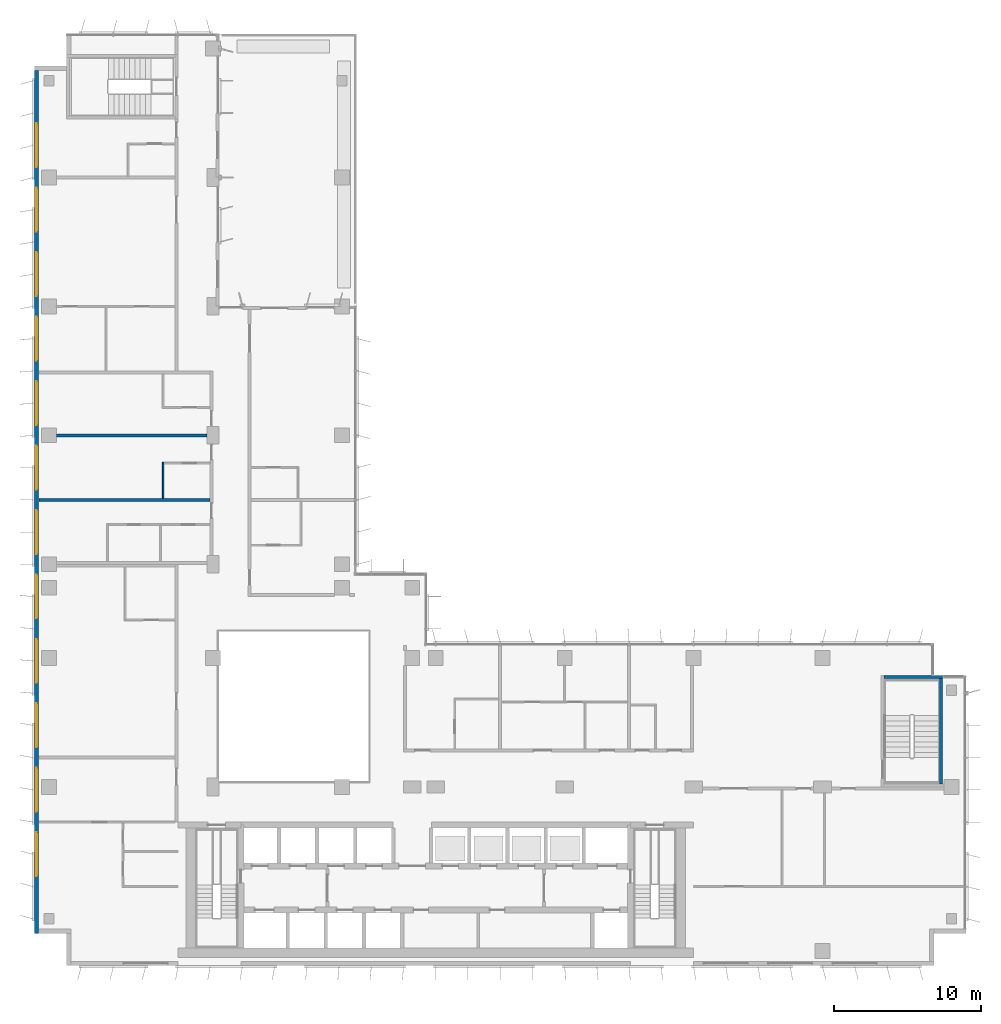
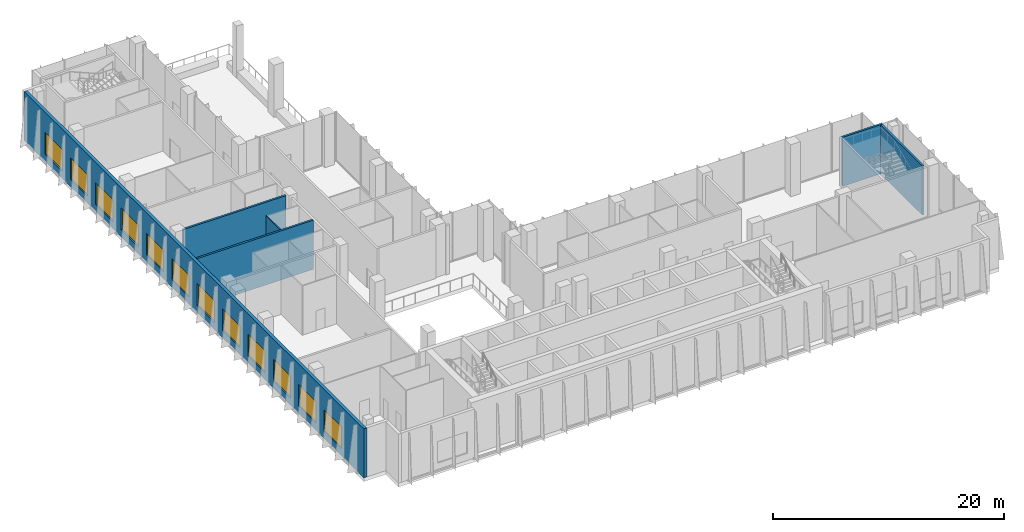
# One storey, part 16 of 24: 12 windows, 6 walls, 12 openings.
"""IFC4 building model written with IfcOpenShell, lengths in metres."""

from ifc_helpers import new_model, si_unit, direction, frame, frame_2d, origin, place, context, subcontext, project, spatial, rectangle, extrude, material, layer, layer_set, type_object, element, fill, save


model = new_model("IFC4")

# Units and contexts
model_context = context("Model", 3, precision=1e-05, world=origin(), true_north=direction((0.0, 1.0)))
body_context = subcontext(model_context, "Body", "Model", "MODEL_VIEW")
ifc_project = project(units=[si_unit("LENGTHUNIT", "METRE"), si_unit("AREAUNIT", "SQUARE_METRE"), si_unit("VOLUMEUNIT", "CUBIC_METRE"), si_unit("PLANEANGLEUNIT", "RADIAN"), si_unit("MASSUNIT", "GRAM", prefix="KILO")], contexts=[model_context])

# Site, building, storey
site_placement = place(None, origin())
site = spatial("IfcSite", under=ifc_project, at=site_placement, CompositionType="ELEMENT")
building_placement = place(site_placement, origin())
building = spatial("IfcBuilding", under=site, at=building_placement, Name="Kemantara Hotel Tower", CompositionType="ELEMENT")
storey_placement = place(building_placement, frame((0.0, 0.0, 202.5)))
storey = spatial("IfcBuildingStorey", under=building, at=storey_placement, Name="L50", CompositionType="ELEMENT", Elevation=202.5)

# Wall, openings, windows
ifc_material_1 = material(Name="Bronze anodised aluminium cladding on insulated steel stud wall", Category="steel")
ifc_layer_1 = layer(ifc_material_1, 0.300048828125)
ifc_layer_set_1 = layer_set([ifc_layer_1], Name="Bronze anodised aluminium cladding on insulated steel stud wall")
wall_type_1 = type_object("IfcWallType", Name="BRONZE METAL-CLAD EXTERNAL WALL 300", PredefinedType="STANDARD", material=ifc_layer_set_1)
wall_1_placement = place(storey_placement, frame((0.14990234375, 61.10009765625, 0.0), z_axis=(0.0, 0.0, 1.0), x_axis=(0.0, -1.0, 0.0)))
wall_1 = element("IfcWall", 1, at=wall_1_placement, inside=storey, type_object=wall_type_1, Name="EXTERNAL WALL L50 T3S-R06", PredefinedType="STANDARD", context=body_context, shape_type="SweptSolid", body=[
    extrude(rectangle(XDim=58.900146484375, YDim=0.300048828125, at=frame_2d((29.4501953125, 0.0))), origin(), (0.0, 0.0, 1.0), 5.199951171875),
])
opening_1_placement = place(wall_1_placement, frame((3.60009765625, 0.0, 0.75)))
opening_1 = element("IfcOpeningElement", 2, at=opening_1_placement, cuts=wall_1, Name="Opening W1", PredefinedType="OPENING", context=body_context, shape_type="SweptSolid", body=[
    extrude(rectangle(XDim=3.0, YDim=2.300048828125, at=frame_2d((1.5, 1.14990234375))), frame((0.0, 0.159912109375, 0.0), z_axis=(0.0, -1.0, 0.0), x_axis=(1.0, 0.0, 0.0)), (0.0, 0.0, 1.0), 0.320068359375),
])
opening_2_placement = place(wall_1_placement, frame((8.0, 0.0, 0.75)))
opening_2 = element("IfcOpeningElement", 3, at=opening_2_placement, cuts=wall_1, Name="Opening W1", PredefinedType="OPENING", context=body_context, shape_type="SweptSolid", body=[
    extrude(rectangle(XDim=3.0, YDim=2.300048828125, at=frame_2d((1.5, 1.14990234375))), frame((0.0, 0.159912109375, 0.0), z_axis=(0.0, -1.0, 0.0), x_axis=(1.0, 0.0, 0.0)), (0.0, 0.0, 1.0), 0.320068359375),
])
opening_3_placement = place(wall_1_placement, frame((12.39990234375, 0.0, 0.75)))
opening_3 = element("IfcOpeningElement", 4, at=opening_3_placement, cuts=wall_1, Name="Opening W1", PredefinedType="OPENING", context=body_context, shape_type="SweptSolid", body=[
    extrude(rectangle(XDim=3.0, YDim=2.300048828125, at=frame_2d((1.5, 1.14990234375))), frame((0.0, 0.159912109375, 0.0), z_axis=(0.0, -1.0, 0.0), x_axis=(1.0, 0.0, 0.0)), (0.0, 0.0, 1.0), 0.320068359375),
])
opening_4_placement = place(wall_1_placement, frame((16.800048828125, 0.0, 0.75)))
opening_4 = element("IfcOpeningElement", 5, at=opening_4_placement, cuts=wall_1, Name="Opening W1", PredefinedType="OPENING", context=body_context, shape_type="SweptSolid", body=[
    extrude(rectangle(XDim=3.0, YDim=2.300048828125, at=frame_2d((1.5, 1.14990234375))), frame((0.0, 0.159912109375, 0.0), z_axis=(0.0, -1.0, 0.0), x_axis=(1.0, 0.0, 0.0)), (0.0, 0.0, 1.0), 0.320068359375),
])
opening_5_placement = place(wall_1_placement, frame((21.199951171875, 0.0, 0.75)))
opening_5 = element("IfcOpeningElement", 6, at=opening_5_placement, cuts=wall_1, Name="Opening W1", PredefinedType="OPENING", context=body_context, shape_type="SweptSolid", body=[
    extrude(rectangle(XDim=3.0, YDim=2.300048828125, at=frame_2d((1.5, 1.14990234375))), frame((0.0, 0.159912109375, 0.0), z_axis=(0.0, -1.0, 0.0), x_axis=(1.0, 0.0, 0.0)), (0.0, 0.0, 1.0), 0.320068359375),
])
opening_6_placement = place(wall_1_placement, frame((25.60009765625, 0.0, 0.75)))
opening_6 = element("IfcOpeningElement", 7, at=opening_6_placement, cuts=wall_1, Name="Opening W1", PredefinedType="OPENING", context=body_context, shape_type="SweptSolid", body=[
    extrude(rectangle(XDim=3.0, YDim=2.300048828125, at=frame_2d((1.5, 1.14990234375))), frame((0.0, 0.159912109375, 0.0), z_axis=(0.0, -1.0, 0.0), x_axis=(1.0, 0.0, 0.0)), (0.0, 0.0, 1.0), 0.320068359375),
])
opening_7_placement = place(wall_1_placement, frame((30.0, 0.0, 0.75)))
opening_7 = element("IfcOpeningElement", 8, at=opening_7_placement, cuts=wall_1, Name="Opening W1", PredefinedType="OPENING", context=body_context, shape_type="SweptSolid", body=[
    extrude(rectangle(XDim=3.0, YDim=2.300048828125, at=frame_2d((1.5, 1.14990234375))), frame((0.0, 0.159912109375, 0.0), z_axis=(0.0, -1.0, 0.0), x_axis=(1.0, 0.0, 0.0)), (0.0, 0.0, 1.0), 0.320068359375),
])
opening_8_placement = place(wall_1_placement, frame((34.39990234375, 0.0, 0.75)))
opening_8 = element("IfcOpeningElement", 9, at=opening_8_placement, cuts=wall_1, Name="Opening W1", PredefinedType="OPENING", context=body_context, shape_type="SweptSolid", body=[
    extrude(rectangle(XDim=3.0, YDim=2.300048828125, at=frame_2d((1.5, 1.14990234375))), frame((0.0, 0.159912109375, 0.0), z_axis=(0.0, -1.0, 0.0), x_axis=(1.0, 0.0, 0.0)), (0.0, 0.0, 1.0), 0.320068359375),
])
opening_9_placement = place(wall_1_placement, frame((38.800048828125, 0.0, 0.75)))
opening_9 = element("IfcOpeningElement", 10, at=opening_9_placement, cuts=wall_1, Name="Opening W1", PredefinedType="OPENING", context=body_context, shape_type="SweptSolid", body=[
    extrude(rectangle(XDim=3.0, YDim=2.300048828125, at=frame_2d((1.5, 1.14990234375))), frame((0.0, 0.159912109375, 0.0), z_axis=(0.0, -1.0, 0.0), x_axis=(1.0, 0.0, 0.0)), (0.0, 0.0, 1.0), 0.320068359375),
])
opening_10_placement = place(wall_1_placement, frame((43.199951171875, 0.0, 0.75)))
opening_10 = element("IfcOpeningElement", 11, at=opening_10_placement, cuts=wall_1, Name="Opening W1", PredefinedType="OPENING", context=body_context, shape_type="SweptSolid", body=[
    extrude(rectangle(XDim=3.0, YDim=2.300048828125, at=frame_2d((1.5, 1.14990234375))), frame((0.0, 0.159912109375, 0.0), z_axis=(0.0, -1.0, 0.0), x_axis=(1.0, 0.0, 0.0)), (0.0, 0.0, 1.0), 0.320068359375),
])
opening_11_placement = place(wall_1_placement, frame((47.60009765625, 0.0, 0.75)))
opening_11 = element("IfcOpeningElement", 12, at=opening_11_placement, cuts=wall_1, Name="Opening W1", PredefinedType="OPENING", context=body_context, shape_type="SweptSolid", body=[
    extrude(rectangle(XDim=3.0, YDim=2.300048828125, at=frame_2d((1.5, 1.14990234375))), frame((0.0, 0.159912109375, 0.0), z_axis=(0.0, -1.0, 0.0), x_axis=(1.0, 0.0, 0.0)), (0.0, 0.0, 1.0), 0.320068359375),
])
opening_12_placement = place(wall_1_placement, frame((52.0, 0.0, 0.75)))
opening_12 = element("IfcOpeningElement", 13, at=opening_12_placement, cuts=wall_1, Name="Opening W1", PredefinedType="OPENING", context=body_context, shape_type="SweptSolid", body=[
    extrude(rectangle(XDim=3.0, YDim=2.300048828125, at=frame_2d((1.5, 1.14990234375))), frame((0.0, 0.159912109375, 0.0), z_axis=(0.0, -1.0, 0.0), x_axis=(1.0, 0.0, 0.0)), (0.0, 0.0, 1.0), 0.320068359375),
])
ifc_material_2 = material(Name="Low-E tinted double insulated glass in bronze anodised aluminium frame", Category="aluminium")
window_type = type_object("IfcWindowType", Name="CHICAGO WINDOW, TRIPLE PANEL 3000x2300", PartitioningType="TRIPLE_PANEL_VERTICAL", PredefinedType="WINDOW", material=ifc_material_2)
window_1_placement = place(opening_1_placement, origin())
window_1 = element("IfcWindow", 14, at=window_1_placement, inside=storey, type_object=window_type, Name="CHICAGO WINDOW L50 T3S-R06-54", OverallHeight=2.300048828125, OverallWidth=3.0, PartitioningType="SINGLE_PANEL", PredefinedType="WINDOW", context=body_context, shape_type="SweptSolid", body=[
    extrude(rectangle(XDim=3.0, YDim=2.300048828125, at=frame_2d((1.5, 1.14990234375))), frame((0.0, 0.030029296875, 0.0), z_axis=(0.0, -1.0, 0.0), x_axis=(1.0, 0.0, 0.0)), (0.0, 0.0, 1.0), 0.06005859375),
])
fill(opening_1, window_1)
window_2_placement = place(opening_2_placement, origin())
window_2 = element("IfcWindow", 15, at=window_2_placement, inside=storey, type_object=window_type, Name="CHICAGO WINDOW L50 T3S-R06-98", OverallHeight=2.300048828125, OverallWidth=3.0, PartitioningType="SINGLE_PANEL", PredefinedType="WINDOW", context=body_context, shape_type="SweptSolid", body=[
    extrude(rectangle(XDim=3.0, YDim=2.300048828125, at=frame_2d((1.5, 1.14990234375))), frame((0.0, 0.030029296875, 0.0), z_axis=(0.0, -1.0, 0.0), x_axis=(1.0, 0.0, 0.0)), (0.0, 0.0, 1.0), 0.06005859375),
])
fill(opening_2, window_2)
window_3_placement = place(opening_3_placement, origin())
window_3 = element("IfcWindow", 16, at=window_3_placement, inside=storey, type_object=window_type, Name="CHICAGO WINDOW L50 T3S-R06-142", OverallHeight=2.300048828125, OverallWidth=3.0, PartitioningType="SINGLE_PANEL", PredefinedType="WINDOW", context=body_context, shape_type="SweptSolid", body=[
    extrude(rectangle(XDim=3.0, YDim=2.300048828125, at=frame_2d((1.5, 1.14990234375))), frame((0.0, 0.030029296875, 0.0), z_axis=(0.0, -1.0, 0.0), x_axis=(1.0, 0.0, 0.0)), (0.0, 0.0, 1.0), 0.06005859375),
])
fill(opening_3, window_3)
window_4_placement = place(opening_4_placement, origin())
window_4 = element("IfcWindow", 17, at=window_4_placement, inside=storey, type_object=window_type, Name="CHICAGO WINDOW L50 T3S-R06-186", OverallHeight=2.300048828125, OverallWidth=3.0, PartitioningType="SINGLE_PANEL", PredefinedType="WINDOW", context=body_context, shape_type="SweptSolid", body=[
    extrude(rectangle(XDim=3.0, YDim=2.300048828125, at=frame_2d((1.5, 1.14990234375))), frame((0.0, 0.030029296875, 0.0), z_axis=(0.0, -1.0, 0.0), x_axis=(1.0, 0.0, 0.0)), (0.0, 0.0, 1.0), 0.06005859375),
])
fill(opening_4, window_4)
window_5_placement = place(opening_5_placement, origin())
window_5 = element("IfcWindow", 18, at=window_5_placement, inside=storey, type_object=window_type, Name="CHICAGO WINDOW L50 T3S-R06-230", OverallHeight=2.300048828125, OverallWidth=3.0, PartitioningType="SINGLE_PANEL", PredefinedType="WINDOW", context=body_context, shape_type="SweptSolid", body=[
    extrude(rectangle(XDim=3.0, YDim=2.300048828125, at=frame_2d((1.5, 1.14990234375))), frame((0.0, 0.030029296875, 0.0), z_axis=(0.0, -1.0, 0.0), x_axis=(1.0, 0.0, 0.0)), (0.0, 0.0, 1.0), 0.06005859375),
])
fill(opening_5, window_5)
window_6_placement = place(opening_6_placement, origin())
window_6 = element("IfcWindow", 19, at=window_6_placement, inside=storey, type_object=window_type, Name="CHICAGO WINDOW L50 T3S-R06-274", OverallHeight=2.300048828125, OverallWidth=3.0, PartitioningType="SINGLE_PANEL", PredefinedType="WINDOW", context=body_context, shape_type="SweptSolid", body=[
    extrude(rectangle(XDim=3.0, YDim=2.300048828125, at=frame_2d((1.5, 1.14990234375))), frame((0.0, 0.030029296875, 0.0), z_axis=(0.0, -1.0, 0.0), x_axis=(1.0, 0.0, 0.0)), (0.0, 0.0, 1.0), 0.06005859375),
])
fill(opening_6, window_6)
window_7_placement = place(opening_7_placement, origin())
window_7 = element("IfcWindow", 20, at=window_7_placement, inside=storey, type_object=window_type, Name="CHICAGO WINDOW L50 T3S-R06-318", OverallHeight=2.300048828125, OverallWidth=3.0, PartitioningType="SINGLE_PANEL", PredefinedType="WINDOW", context=body_context, shape_type="SweptSolid", body=[
    extrude(rectangle(XDim=3.0, YDim=2.300048828125, at=frame_2d((1.5, 1.14990234375))), frame((0.0, 0.030029296875, 0.0), z_axis=(0.0, -1.0, 0.0), x_axis=(1.0, 0.0, 0.0)), (0.0, 0.0, 1.0), 0.06005859375),
])
fill(opening_7, window_7)
window_8_placement = place(opening_8_placement, origin())
window_8 = element("IfcWindow", 21, at=window_8_placement, inside=storey, type_object=window_type, Name="CHICAGO WINDOW L50 T3S-R06-362", OverallHeight=2.300048828125, OverallWidth=3.0, PartitioningType="SINGLE_PANEL", PredefinedType="WINDOW", context=body_context, shape_type="SweptSolid", body=[
    extrude(rectangle(XDim=3.0, YDim=2.300048828125, at=frame_2d((1.5, 1.14990234375))), frame((0.0, 0.030029296875, 0.0), z_axis=(0.0, -1.0, 0.0), x_axis=(1.0, 0.0, 0.0)), (0.0, 0.0, 1.0), 0.06005859375),
])
fill(opening_8, window_8)
window_9_placement = place(opening_9_placement, origin())
window_9 = element("IfcWindow", 22, at=window_9_placement, inside=storey, type_object=window_type, Name="CHICAGO WINDOW L50 T3S-R06-406", OverallHeight=2.300048828125, OverallWidth=3.0, PartitioningType="SINGLE_PANEL", PredefinedType="WINDOW", context=body_context, shape_type="SweptSolid", body=[
    extrude(rectangle(XDim=3.0, YDim=2.300048828125, at=frame_2d((1.5, 1.14990234375))), frame((0.0, 0.030029296875, 0.0), z_axis=(0.0, -1.0, 0.0), x_axis=(1.0, 0.0, 0.0)), (0.0, 0.0, 1.0), 0.06005859375),
])
fill(opening_9, window_9)
window_10_placement = place(opening_10_placement, origin())
window_10 = element("IfcWindow", 23, at=window_10_placement, inside=storey, type_object=window_type, Name="CHICAGO WINDOW L50 T3S-R06-450", OverallHeight=2.300048828125, OverallWidth=3.0, PartitioningType="SINGLE_PANEL", PredefinedType="WINDOW", context=body_context, shape_type="SweptSolid", body=[
    extrude(rectangle(XDim=3.0, YDim=2.300048828125, at=frame_2d((1.5, 1.14990234375))), frame((0.0, 0.030029296875, 0.0), z_axis=(0.0, -1.0, 0.0), x_axis=(1.0, 0.0, 0.0)), (0.0, 0.0, 1.0), 0.06005859375),
])
fill(opening_10, window_10)
window_11_placement = place(opening_11_placement, origin())
window_11 = element("IfcWindow", 24, at=window_11_placement, inside=storey, type_object=window_type, Name="CHICAGO WINDOW L50 T3S-R06-494", OverallHeight=2.300048828125, OverallWidth=3.0, PartitioningType="SINGLE_PANEL", PredefinedType="WINDOW", context=body_context, shape_type="SweptSolid", body=[
    extrude(rectangle(XDim=3.0, YDim=2.300048828125, at=frame_2d((1.5, 1.14990234375))), frame((0.0, 0.030029296875, 0.0), z_axis=(0.0, -1.0, 0.0), x_axis=(1.0, 0.0, 0.0)), (0.0, 0.0, 1.0), 0.06005859375),
])
fill(opening_11, window_11)
window_12_placement = place(opening_12_placement, origin())
window_12 = element("IfcWindow", 25, at=window_12_placement, inside=storey, type_object=window_type, Name="CHICAGO WINDOW L50 T3S-R06-538", OverallHeight=2.300048828125, OverallWidth=3.0, PartitioningType="SINGLE_PANEL", PredefinedType="WINDOW", context=body_context, shape_type="SweptSolid", body=[
    extrude(rectangle(XDim=3.0, YDim=2.300048828125, at=frame_2d((1.5, 1.14990234375))), frame((0.0, 0.030029296875, 0.0), z_axis=(0.0, -1.0, 0.0), x_axis=(1.0, 0.0, 0.0)), (0.0, 0.0, 1.0), 0.06005859375),
])
fill(opening_12, window_12)

# Walls
ifc_material_3 = material(Name="Concrete fc 40 MPa", Category="concrete")
ifc_layer_2 = layer(ifc_material_3, 0.199951171875)
ifc_layer_set_2 = layer_set([ifc_layer_2], Name="Concrete fc 40 MPa")
wall_type_2 = type_object("IfcWallType", Name="Concrete stair wall 200 mm", PredefinedType="SHEAR", material=ifc_layer_set_2)
wall_2_placement = place(storey_placement, frame((58.0, 19.699951171875, 0.0), z_axis=(0.0, 0.0, 1.0), x_axis=(1.0, 0.0, 0.0)))
element("IfcWall", 26, at=wall_2_placement, inside=storey, type_object=wall_type_2, Name="Stair ST3 enclosure wall N", PredefinedType="SHEAR", context=body_context, shape_type="SweptSolid", body=[
    extrude(rectangle(XDim=4.0, YDim=0.199951171875, at=frame_2d((2.0, 0.0))), origin(), (0.0, 0.0, 1.0), 5.199951171875),
])
wall_3_placement = place(storey_placement, frame((61.89990234375, 12.39990234375, 0.0), z_axis=(0.0, 0.0, 1.0), x_axis=(0.0, 1.0, 0.0)))
element("IfcWall", 27, at=wall_3_placement, inside=storey, type_object=wall_type_2, Name="Stair ST3 enclosure wall E", PredefinedType="SHEAR", context=body_context, shape_type="SweptSolid", body=[
    extrude(rectangle(XDim=7.2001953125, YDim=0.199951171875, at=frame_2d((3.60009765625, 0.0))), origin(), (0.0, 0.0, 1.0), 5.199951171875),
])
ifc_material_4 = material(Name="Gypsum board partition, steel studs and mineral wool, 200 mm", Category="steel")
ifc_layer_3 = layer(ifc_material_4, 0.199951171875)
ifc_layer_set_3 = layer_set([ifc_layer_3], Name="Gypsum board partition, steel studs and mineral wool, 200 mm")
wall_type_3 = type_object("IfcWallType", Name="GUEST ROOM PARTY WALL 200", PredefinedType="PARTITIONING", material=ifc_layer_set_3)
wall_4_placement = place(storey_placement, frame((0.31005859375, 31.800048828125, 0.0), z_axis=(0.0, 0.0, 1.0), x_axis=(1.0, 0.0, 0.0)))
element("IfcWall", 28, at=wall_4_placement, inside=storey, type_object=wall_type_3, Name="GUEST ROOM PARTY WALL 200 017", PredefinedType="PARTITIONING", context=body_context, shape_type="SweptSolid", body=[
    extrude(rectangle(XDim=11.68994140625, YDim=0.199951171875, at=frame_2d((5.844970703125, 0.0))), origin(), (0.0, 0.0, 1.0), 5.199951171875),
])
wall_5_placement = place(storey_placement, frame((1.5, 36.199951171875, 0.0), z_axis=(0.0, 0.0, 1.0), x_axis=(1.0, 0.0, 0.0)))
element("IfcWall", 29, at=wall_5_placement, inside=storey, type_object=wall_type_3, Name="GUEST ROOM PARTY WALL 200 019", PredefinedType="PARTITIONING", context=body_context, shape_type="SweptSolid", body=[
    extrude(rectangle(XDim=10.2998046875, YDim=0.199951171875, at=frame_2d((5.14990234375, 0.0))), origin(), (0.0, 0.0, 1.0), 5.199951171875),
])
ifc_material_5 = material(Name="Gypsum board partition on steel studs, 100 mm", Category="steel")
ifc_layer_4 = layer(ifc_material_5, 0.10009765625)
ifc_layer_set_4 = layer_set([ifc_layer_4], Name="Gypsum board partition on steel studs, 100 mm")
wall_type_4 = type_object("IfcWallType", Name="ROOM PARTITION 100", PredefinedType="PARTITIONING", material=ifc_layer_set_4)
wall_6_placement = place(storey_placement, frame((8.800048828125, 31.89990234375, 0.0), z_axis=(0.0, 0.0, 1.0), x_axis=(0.0, 1.0, 0.0)))
element("IfcWall", 30, at=wall_6_placement, inside=storey, type_object=wall_type_4, Name="ROOM PARTITION 100 044", PredefinedType="PARTITIONING", context=body_context, shape_type="SweptSolid", body=[
    extrude(rectangle(XDim=2.4501953125, YDim=0.10009765625, at=frame_2d((1.22509765625, 0.0))), origin(), (0.0, 0.0, 1.0), 5.199951171875),
])

save(model, "model.ifc")
